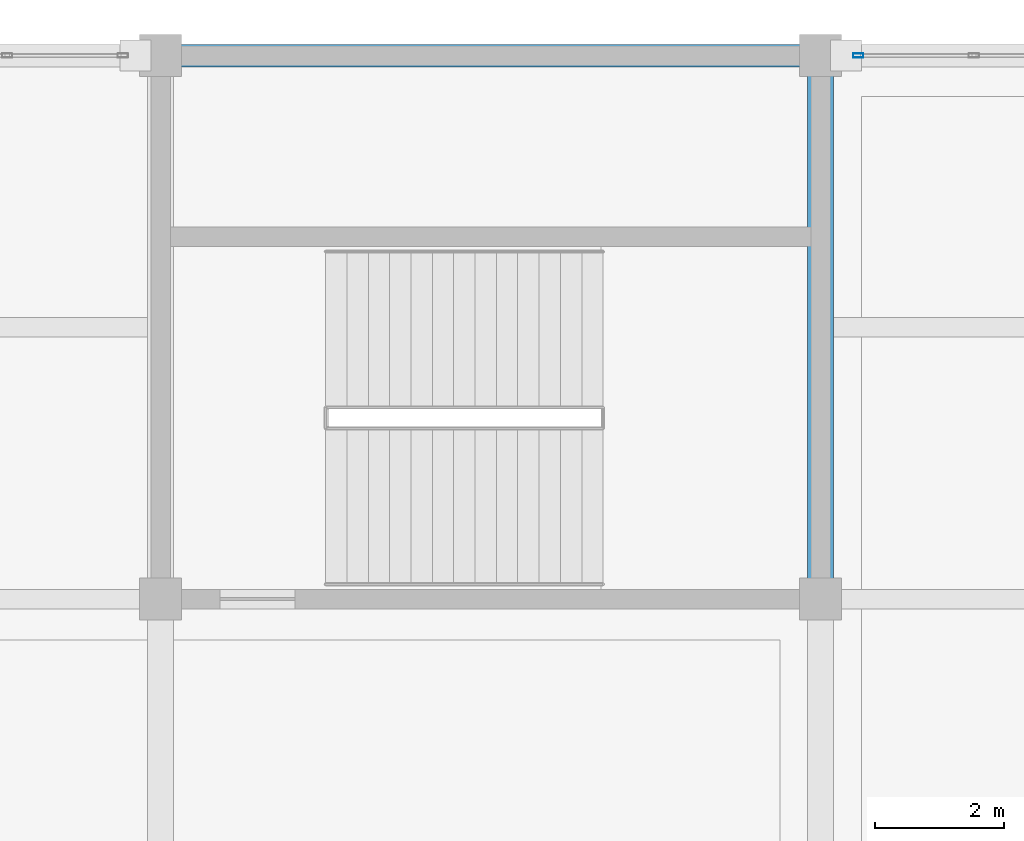
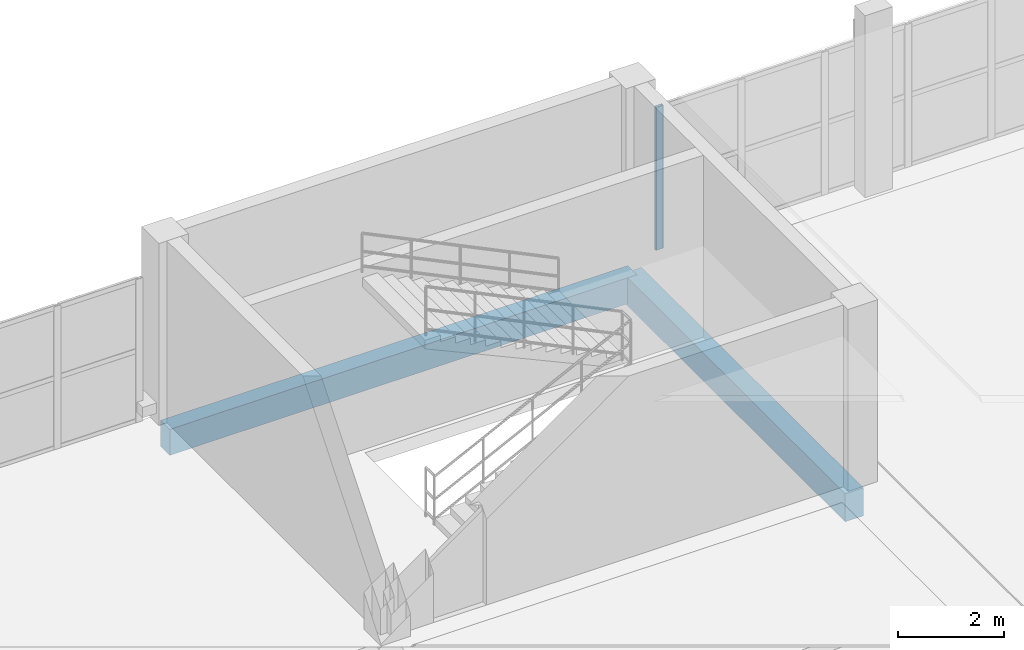
# One storey, part 96 of 135: 2 beams, 1 member, 1 element without a shape of its own.
"""IFC4 building model written with IfcOpenShell, lengths in metres."""

from ifc_helpers import new_model, si_unit, direction, frame, origin, origin_2d, place, context, subcontext, project, spatial, rectangle, hollow_rectangle, extrude, material, material_profile, profile_set, type_object, element, aggregate, save


model = new_model("IFC4")

# Units and contexts
model_context = context("Model", 3, precision=1e-05, world=origin(), true_north=direction((0.0, 1.0)))
body_context = subcontext(model_context, "Body", "Model", "MODEL_VIEW")
ifc_project = project(units=[si_unit("LENGTHUNIT", "METRE"), si_unit("AREAUNIT", "SQUARE_METRE"), si_unit("VOLUMEUNIT", "CUBIC_METRE"), si_unit("PLANEANGLEUNIT", "RADIAN"), si_unit("MASSUNIT", "GRAM", prefix="KILO")], contexts=[model_context])

# Site, building, storey
site_placement = place(None, origin())
site = spatial("IfcSite", under=ifc_project, at=site_placement, CompositionType="ELEMENT")
building_placement = place(site_placement, origin())
building = spatial("IfcBuilding", under=site, at=building_placement, Name="Brelvane Convention Centre", CompositionType="ELEMENT")
storey_placement = place(building_placement, frame((0.0, 0.0, 15.0)))
storey = spatial("IfcBuildingStorey", under=building, at=storey_placement, Name="L03", CompositionType="ELEMENT", Elevation=15.0)

# Curtain wall, member
ifc_material_1 = material(Name="Anodised Aluminium Alloy 6063-T6", Category="aluminium")
curtain_wall_type = type_object("IfcCurtainWallType", Name="Curtain Wall CW-BOUL", PredefinedType="USERDEFINED", material=ifc_material_1)
curtain_wall_placement = place(storey_placement, origin())
curtain_wall = element("IfcCurtainWall", 1, at=curtain_wall_placement, inside=storey, type_object=curtain_wall_type, Name="Curtain Wall CW-BOUL L03-V4N-04", ObjectType="UNITISED", PredefinedType="USERDEFINED")
ifc_material_2 = material(Name="Anodised Aluminium Alloy 6063-T6", Category="aluminium")
ifc_material_profile_1 = material_profile(ifc_material_2, hollow_rectangle(XDim=0.06494140625, YDim=0.159912109375, WallThickness=0.00390625, InnerFilletRadius=0.00390625, OuterFilletRadius=0.008056640625, at=origin_2d()), Name="ALU-M 160x65x4.0")
ifc_profile_set_1 = profile_set([ifc_material_profile_1], Name="Anodised Aluminium Alloy 6063-T6")
member_type = type_object("IfcMemberType", Name="Curtain Mullion CW-M3", PredefinedType="MULLION", material=ifc_profile_set_1)
member_placement = place(storey_placement, frame((31.1826171875, 144.0, 0.0), z_axis=(0.0, 0.0, 1.0), x_axis=(0.0, 1.0, 0.0)))
member = element("IfcMember", 2, at=member_placement, type_object=member_type, Name="CW-BOUL mullion 1", PredefinedType="MULLION", context=body_context, shape_type="SweptSolid", body=[
    extrude(hollow_rectangle(XDim=0.06494140625, YDim=0.159912109375, WallThickness=0.00390625, InnerFilletRadius=0.00390625, OuterFilletRadius=0.008056640625, at=origin_2d()), origin(), (0.0, 0.0, 1.0), 3.300048828125),
])
aggregate(curtain_wall, [member])

# Beams
ifc_material_3 = material(Name="Concrete M40", Category="concrete")
ifc_material_profile_2 = material_profile(ifc_material_3, rectangle(XDim=0.39990234375, YDim=0.64990234375, at=origin_2d()), Name="RC 400x650")
ifc_profile_set_2 = profile_set([ifc_material_profile_2], Name="Concrete M40")
beam_type_1 = type_object("IfcBeamType", Name="RC Beam B-RC7 (RC 400x650)", PredefinedType="BEAM", material=ifc_profile_set_2)
beam_1_placement = place(storey_placement, frame((30.60009765625, 135.60009765625, -0.6201171875), z_axis=(0.0, 1.0, 0.0), x_axis=(-1.0, 0.0, 0.0)))
element("IfcBeam", 3, at=beam_1_placement, inside=storey, type_object=beam_type_1, Name="L03 Girder 4/P-Q", PredefinedType="BEAM", context=body_context, shape_type="SweptSolid", body=[
    extrude(rectangle(XDim=0.39990234375, YDim=0.64990234375, at=origin_2d()), origin(), (0.0, 0.0, 1.0), 8.39990234375),
])
ifc_material_4 = material(Name="Concrete M40", Category="concrete")
ifc_material_profile_3 = material_profile(ifc_material_4, rectangle(XDim=0.35009765625, YDim=0.60009765625, at=origin_2d()), Name="RC 350x600")
ifc_profile_set_3 = profile_set([ifc_material_profile_3], Name="Concrete M40")
beam_type_2 = type_object("IfcBeamType", Name="RC Spandrel SP-RC2 (RC 350x600)", PredefinedType="SPANDREL", material=ifc_profile_set_3)
beam_2_placement = place(storey_placement, frame((20.39990234375, 144.0, -0.594970703125), z_axis=(1.0, 0.0, 0.0), x_axis=(0.0, 1.0, 0.0)))
element("IfcBeam", 4, at=beam_2_placement, inside=storey, type_object=beam_type_2, Name="L03 Beam 3-4/Q", PredefinedType="SPANDREL", context=body_context, shape_type="SweptSolid", body=[
    extrude(rectangle(XDim=0.35009765625, YDim=0.60009765625, at=origin_2d()), origin(), (0.0, 0.0, 1.0), 10.2001953125),
])

save(model, "model.ifc")
